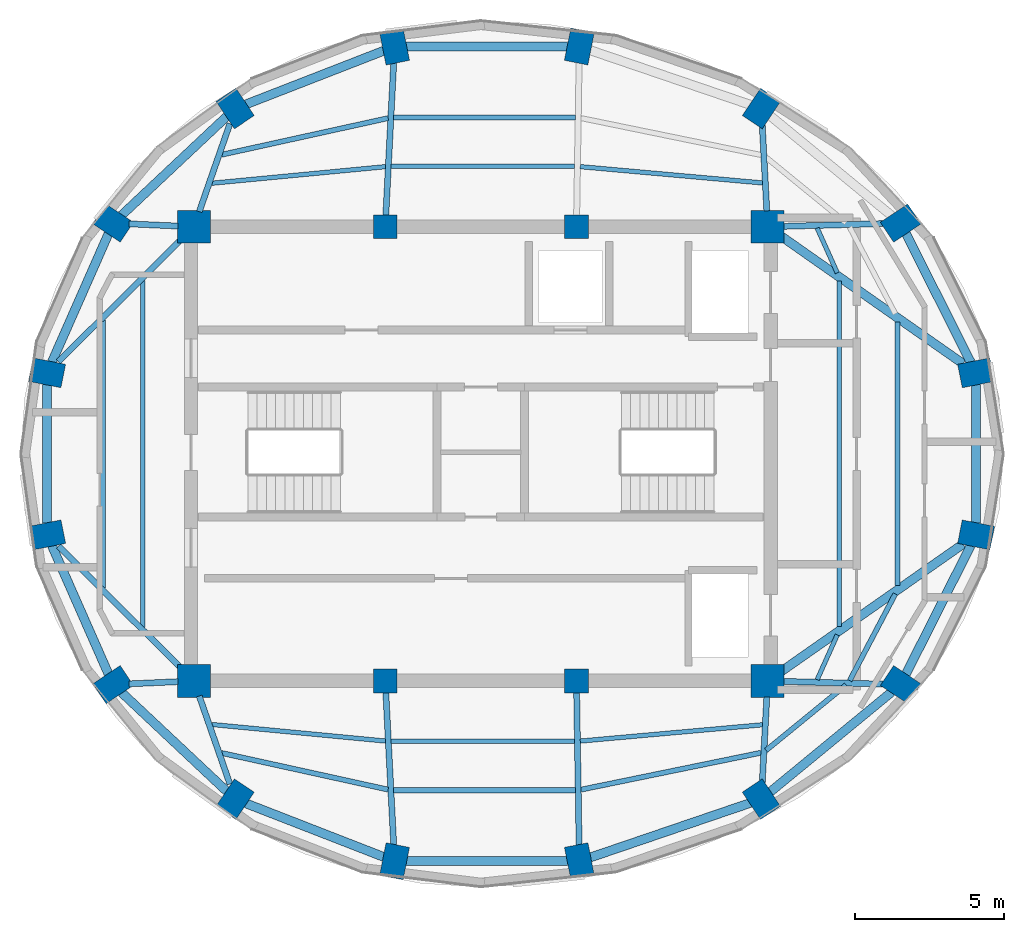
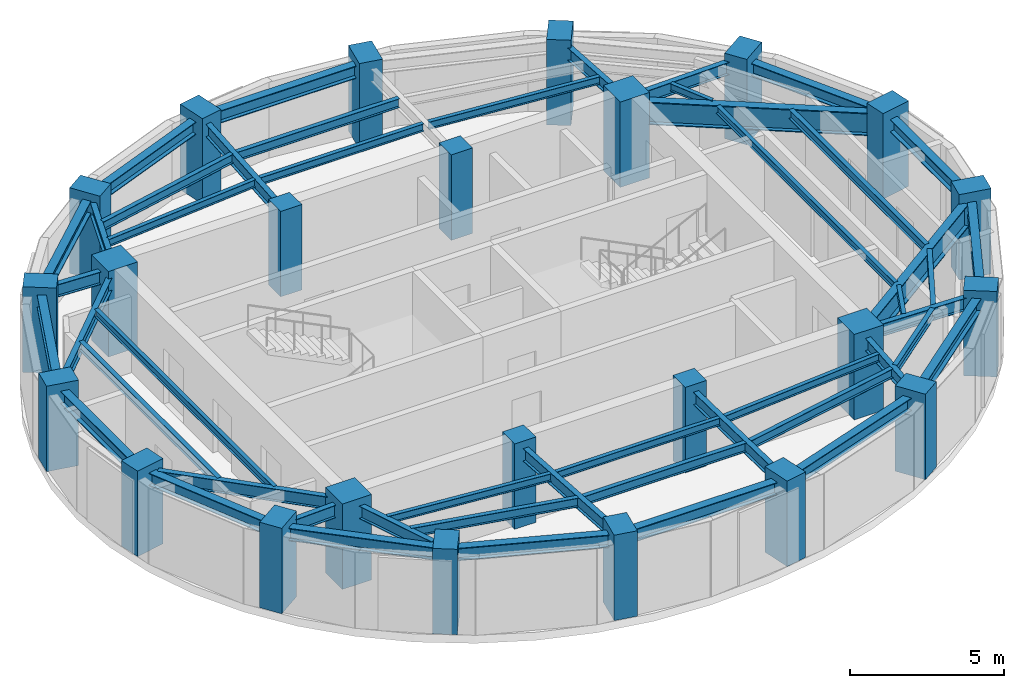
# One storey, part 1 of 5: 48 beams, 24 columns.
"""IFC4 building model written with IfcOpenShell, lengths in metres."""

from ifc_helpers import new_model, si_unit, direction, frame, origin, origin_2d, place, context, subcontext, project, spatial, rectangle, i_section, extrude, material, material_profile, profile_set, type_object, element, save


model = new_model("IFC4")

# Units and contexts
model_context = context("Model", 3, precision=1e-05, world=origin(), true_north=direction((0.0, 1.0)))
body_context = subcontext(model_context, "Body", "Model", "MODEL_VIEW")
ifc_project = project(units=[si_unit("LENGTHUNIT", "METRE"), si_unit("AREAUNIT", "SQUARE_METRE"), si_unit("VOLUMEUNIT", "CUBIC_METRE"), si_unit("PLANEANGLEUNIT", "RADIAN"), si_unit("MASSUNIT", "GRAM", prefix="KILO")], contexts=[model_context])

# Site, building, storey
site_placement = place(None, origin())
site = spatial("IfcSite", under=ifc_project, at=site_placement, CompositionType="ELEMENT")
building_placement = place(site_placement, origin())
building = spatial("IfcBuilding", under=site, at=building_placement, Name="Lazwardi Medical Tower", CompositionType="ELEMENT")
storey_placement = place(building_placement, frame((0.0, 0.0, 312.612060546875)))
storey = spatial("IfcBuildingStorey", under=building, at=storey_placement, Name="L82", CompositionType="ELEMENT", Elevation=312.612060546875)

# Columns
ifc_material_1 = material(Name="Concrete C80/95", Category="concrete")
ifc_material_profile_1 = material_profile(ifc_material_1, rectangle(XDim=1.10009765625, YDim=1.10009765625, at=origin_2d()), Name="RC 1100x1100")
ifc_profile_set_1 = profile_set([ifc_material_profile_1], Name="Concrete C80/95")
column_type_1 = type_object("IfcColumnType", Name="COL-CC-L", PredefinedType="COLUMN", material=ifc_profile_set_1)
for number, where, z_axis, x_axis, name in (
    (1, (26.39990234375, 20.39990234375, 0.0), (0.0, 0.0, 1.0), (1.0, 0.0, 0.0), "Core column CC-01 CC1 L82"),
    (2, (45.60009765625, 20.39990234375, 0.0), (0.0, 0.0, 1.0), (1.0, 0.0, 0.0), "Core column CC-01 CC4 L82"),
    (3, (45.60009765625, 35.60009765625, 0.0), (0.0, 0.0, 1.0), (1.0, 0.0, 0.0), "Core column CC-01 CC5 L82"),
    (4, (26.39990234375, 35.60009765625, 0.0), (0.0, 0.0, 1.0), (1.0, 0.0, 0.0), "Core column CC-01 CC8 L82"),
):
    element("IfcColumn", number, at=place(storey_placement, frame(where, z_axis=z_axis, x_axis=x_axis)), inside=storey, type_object=column_type_1, Name=name, PredefinedType="COLUMN", context=body_context, shape_type="SweptSolid", body=[
        extrude(rectangle(XDim=1.10009765625, YDim=1.10009765625, at=origin_2d()), origin(), (0.0, 0.0, 1.0), 3.387939453125),
    ])
ifc_material_2 = material(Name="Concrete C60/75", Category="concrete")
ifc_material_profile_2 = material_profile(ifc_material_2, rectangle(XDim=0.800048828125, YDim=0.800048828125, at=origin_2d()), Name="RC 800x800")
ifc_profile_set_2 = profile_set([ifc_material_profile_2], Name="Concrete C60/75")
column_type_2 = type_object("IfcColumnType", Name="COL-CC-U", PredefinedType="COLUMN", material=ifc_profile_set_2)
for number, where, z_axis, x_axis, name in (
    (5, (32.800048828125, 20.39990234375, 0.0), (0.0, 0.0, 1.0), (1.0, 0.0, 0.0), "Core column CC-03 CC2 L82"),
    (6, (39.199951171875, 20.39990234375, 0.0), (0.0, 0.0, 1.0), (1.0, 0.0, 0.0), "Core column CC-03 CC3 L82"),
    (7, (39.199951171875, 35.60009765625, 0.0), (0.0, 0.0, 1.0), (1.0, 0.0, 0.0), "Core column CC-03 CC6 L82"),
    (8, (32.800048828125, 35.60009765625, 0.0), (0.0, 0.0, 1.0), (1.0, 0.0, 0.0), "Core column CC-03 CC7 L82"),
):
    element("IfcColumn", number, at=place(storey_placement, frame(where, z_axis=z_axis, x_axis=x_axis)), inside=storey, type_object=column_type_2, Name=name, PredefinedType="COLUMN", context=body_context, shape_type="SweptSolid", body=[
        extrude(rectangle(XDim=0.800048828125, YDim=0.800048828125, at=origin_2d()), origin(), (0.0, 0.0, 1.0), 3.387939453125),
    ])
ifc_material_profile_3 = material_profile(ifc_material_2, rectangle(XDim=1.10009765625, YDim=0.800048828125, at=origin_2d()), Name="CFT-RECT 1100x800")
ifc_profile_set_3 = profile_set([ifc_material_profile_3], Name="Concrete C60/75")
column_type_3 = type_object("IfcColumnType", Name="COL-MC-Z4", PredefinedType="COLUMN", material=ifc_profile_set_3)
for number, where, z_axis, x_axis, name in (
    (9, (39.297119140625, 14.3671875, 0.0), (0.0, 0.0, 1.0), (0.195090322016, -0.980785280403, 0.0), "Mega column MC-06 M01 L82"),
    (10, (45.38916015625, 16.442626953125, 0.0), (0.0, 0.0, 1.0), (0.55557023302, -0.831469612303, 0.0), "Mega column MC-06 M02 L82"),
    (11, (50.0517578125, 20.277587890625, 0.0), (0.0, 0.0, 1.0), (0.831469612303, -0.55557023302, 0.0), "Mega column MC-06 M03 L82"),
    (12, (52.5751953125, 25.2880859375, 0.0), (0.0, 0.0, 1.0), (0.980785280403, -0.195090322016, 0.0), "Mega column MC-06 M04 L82"),
    (13, (52.5751953125, 30.7119140625, 0.0), (0.0, 0.0, 1.0), (0.980785280403, 0.195090322016, 0.0), "Mega column MC-06 M05 L82"),
    (14, (50.0517578125, 35.722412109375, 0.0), (0.0, 0.0, 1.0), (0.831469612303, 0.55557023302, 0.0), "Mega column MC-06 M06 L82"),
    (15, (45.38916015625, 39.557373046875, 0.0), (0.0, 0.0, 1.0), (0.55557023302, 0.831469612303, 0.0), "Mega column MC-06 M07 L82"),
    (16, (39.297119140625, 41.6328125, 0.0), (0.0, 0.0, 1.0), (0.195090322016, 0.980785280403, 0.0), "Mega column MC-06 M08 L82"),
    (17, (33.11279296875, 41.6328125, 0.0), (0.0, 0.0, 1.0), (-0.195090322016, 0.980785280403, 0.0), "Mega column MC-06 M09 L82"),
    (18, (27.777587890625, 39.557373046875, 0.0), (0.0, 0.0, 1.0), (-0.55557023302, 0.831469612303, 0.0), "Mega column MC-06 M10 L82"),
    (19, (23.694091796875, 35.722412109375, 0.0), (0.0, 0.0, 1.0), (-0.831469612303, 0.55557023302, 0.0), "Mega column MC-06 M11 L82"),
    (20, (21.484375, 30.7119140625, 0.0), (0.0, 0.0, 1.0), (-0.980785280403, 0.195090322016, 0.0), "Mega column MC-06 M12 L82"),
    (21, (21.484375, 25.2880859375, 0.0), (0.0, 0.0, 1.0), (-0.980785280403, -0.195090322016, 0.0), "Mega column MC-06 M13 L82"),
    (22, (23.694091796875, 20.277587890625, 0.0), (0.0, 0.0, 1.0), (-0.831469612303, -0.55557023302, 0.0), "Mega column MC-06 M14 L82"),
    (23, (27.777587890625, 16.442626953125, 0.0), (0.0, 0.0, 1.0), (-0.55557023302, -0.831469612303, 0.0), "Mega column MC-06 M15 L82"),
    (24, (33.11279296875, 14.3671875, 0.0), (0.0, 0.0, 1.0), (-0.195090322016, -0.980785280403, 0.0), "Mega column MC-06 M16 L82"),
):
    element("IfcColumn", number, at=place(storey_placement, frame(where, z_axis=z_axis, x_axis=x_axis)), inside=storey, type_object=column_type_3, Name=name, PredefinedType="COLUMN", context=body_context, shape_type="SweptSolid", body=[
        extrude(rectangle(XDim=1.10009765625, YDim=0.800048828125, at=origin_2d()), origin(), (0.0, 0.0, 1.0), 3.387939453125),
    ])

# Beams
ifc_material_3 = material(Name="Steel S460", Category="steel")
ifc_material_profile_4 = material_profile(ifc_material_3, i_section(OverallWidth=0.300048828125, OverallDepth=0.89990234375, WebThickness=0.0185546875, FlangeThickness=0.034912109375, at=origin_2d()), Name="HEB 900")
ifc_profile_set_4 = profile_set([ifc_material_profile_4], Name="Steel S460")
beam_type_1 = type_object("IfcBeamType", Name="BM-HB-01", PredefinedType="BEAM", material=ifc_profile_set_4)
for number, where, z_axis, x_axis, name in (
    (25, (52.13720703125, 24.981201171875, 2.557861328125), (-0.818929959662, -0.573893475454, 0.0), (0.573893475454, -0.818929959662, 0.0), "Helipad support girder HB-01 R04 L82"),
    (26, (52.13720703125, 31.018798828125, 2.557861328125), (-0.818929959662, 0.573893475454, 0.0), (-0.573893475454, -0.818929959662, 0.0), "Helipad support girder HB-01 R05 L82"),
):
    element("IfcBeam", number, at=place(storey_placement, frame(where, z_axis=z_axis, x_axis=x_axis)), inside=storey, type_object=beam_type_1, Name=name, PredefinedType="BEAM", context=body_context, shape_type="SweptSolid", body=[
        extrude(i_section(OverallWidth=0.300048828125, OverallDepth=0.89990234375, WebThickness=0.0185546875, FlangeThickness=0.034912109375, at=origin_2d()), origin(), (0.0, 0.0, 1.0), 7.44775390625),
    ])
ifc_material_4 = material(Name="Steel S355", Category="steel")
ifc_material_profile_5 = material_profile(ifc_material_4, i_section(OverallWidth=0.300048828125, OverallDepth=0.5, WebThickness=0.014404296875, FlangeThickness=0.028076171875, at=origin_2d()), Name="HEB 500")
ifc_profile_set_5 = profile_set([ifc_material_profile_5], Name="Steel S355")
beam_type_2 = type_object("IfcBeamType", Name="BM-RB-Z4", PredefinedType="BEAM", material=ifc_profile_set_5)
beam_1_placement = place(storey_placement, frame((39.666259765625, 14.492919921875, 2.837890625), z_axis=(0.94657339, 0.322488476296, 0.0), x_axis=(-0.322488476296, 0.94657339, 0.0)))
element("IfcBeam", 27, at=beam_1_placement, inside=storey, type_object=beam_type_2, Name="Ring beam RB-05 B01 L82", PredefinedType="BEAM", context=body_context, shape_type="SweptSolid", body=[
    extrude(i_section(OverallWidth=0.300048828125, OverallDepth=0.5, WebThickness=0.014404296875, FlangeThickness=0.028076171875, at=origin_2d()), origin(), (0.0, 0.0, 1.0), 5.656005859375),
])
beam_2_placement = place(storey_placement, frame((45.690185546875, 16.690185546875, 2.837890625), z_axis=(0.772320174437, 0.635233459571, 0.0), x_axis=(-0.635233459571, 0.772320174437, 0.0)))
element("IfcBeam", 28, at=beam_2_placement, inside=storey, type_object=beam_type_2, Name="Ring beam RB-05 B02 L82", PredefinedType="BEAM", context=body_context, shape_type="SweptSolid", body=[
    extrude(i_section(OverallWidth=0.300048828125, OverallDepth=0.5, WebThickness=0.014404296875, FlangeThickness=0.028076171875, at=origin_2d()), origin(), (0.0, 0.0, 1.0), 5.25732421875),
])
beam_3_placement = place(storey_placement, frame((50.227294921875, 20.6259765625, 2.758056640625), z_axis=(0.449799625666, 0.89312949607, 0.0), x_axis=(-0.89312949607, 0.449799625666, 0.0)))
element("IfcBeam", 29, at=beam_3_placement, inside=storey, type_object=beam_type_2, Name="Ring beam RB-05 B03 L82", PredefinedType="BEAM", context=body_context, shape_type="SweptSolid", body=[
    extrude(i_section(OverallWidth=0.300048828125, OverallDepth=0.5, WebThickness=0.014404296875, FlangeThickness=0.028076171875, at=origin_2d()), origin(), (0.0, 0.0, 1.0), 4.830078125),
])
beam_4_placement = place(storey_placement, frame((52.5751953125, 25.67822265625, 2.758056640625), z_axis=(0.0, 1.0, 0.0), x_axis=(-1.0, 0.0, 0.0)))
element("IfcBeam", 30, at=beam_4_placement, inside=storey, type_object=beam_type_2, Name="Ring beam RB-05 B04 L82", PredefinedType="BEAM", context=body_context, shape_type="SweptSolid", body=[
    extrude(i_section(OverallWidth=0.300048828125, OverallDepth=0.5, WebThickness=0.014404296875, FlangeThickness=0.028076171875, at=origin_2d()), origin(), (0.0, 0.0, 1.0), 4.6435546875),
])
beam_5_placement = place(storey_placement, frame((52.39990234375, 31.06005859375, 2.758056640625), z_axis=(-0.449799625666, 0.89312949607, 0.0), x_axis=(-0.89312949607, -0.449799625666, 0.0)))
element("IfcBeam", 31, at=beam_5_placement, inside=storey, type_object=beam_type_2, Name="Ring beam RB-05 B05 L82", PredefinedType="BEAM", context=body_context, shape_type="SweptSolid", body=[
    extrude(i_section(OverallWidth=0.300048828125, OverallDepth=0.5, WebThickness=0.014404296875, FlangeThickness=0.028076171875, at=origin_2d()), origin(), (0.0, 0.0, 1.0), 4.830078125),
])
beam_6_placement = place(storey_placement, frame((38.906982421875, 41.6328125, 2.837890625), z_axis=(-1.0, 0.0, 0.0), x_axis=(0.0, -1.0, 0.0)))
element("IfcBeam", 32, at=beam_6_placement, inside=storey, type_object=beam_type_2, Name="Ring beam RB-05 B08 L82", PredefinedType="BEAM", context=body_context, shape_type="SweptSolid", body=[
    extrude(i_section(OverallWidth=0.300048828125, OverallDepth=0.5, WebThickness=0.014404296875, FlangeThickness=0.028076171875, at=origin_2d()), origin(), (0.0, 0.0, 1.0), 5.404296875),
])
beam_7_placement = place(storey_placement, frame((32.749267578125, 41.491455078125, 2.837890625), z_axis=(-0.931959260109, -0.362563011761, 0.0), x_axis=(0.362563011761, -0.931959260109, 0.0)))
element("IfcBeam", 33, at=beam_7_placement, inside=storey, type_object=beam_type_2, Name="Ring beam RB-05 B09 L82", PredefinedType="BEAM", context=body_context, shape_type="SweptSolid", body=[
    extrude(i_section(OverallWidth=0.300048828125, OverallDepth=0.5, WebThickness=0.014404296875, FlangeThickness=0.028076171875, at=origin_2d()), origin(), (0.0, 0.0, 1.0), 4.944580078125),
])
beam_8_placement = place(storey_placement, frame((27.493408203125, 39.290283203125, 2.837890625), z_axis=(-0.728960615285, -0.684555637887, 0.0), x_axis=(0.684555637887, -0.728960615285, 0.0)))
element("IfcBeam", 34, at=beam_8_placement, inside=storey, type_object=beam_type_2, Name="Ring beam RB-05 B10 L82", PredefinedType="BEAM", context=body_context, shape_type="SweptSolid", body=[
    extrude(i_section(OverallWidth=0.300048828125, OverallDepth=0.5, WebThickness=0.014404296875, FlangeThickness=0.028076171875, at=origin_2d()), origin(), (0.0, 0.0, 1.0), 4.82177734375),
])
beam_9_placement = place(storey_placement, frame((23.536865234375, 35.365478515625, 2.837890625), z_axis=(-0.403522451548, -0.914969743268, 0.0), x_axis=(0.914969743268, -0.403522451548, 0.0)))
element("IfcBeam", 35, at=beam_9_placement, inside=storey, type_object=beam_type_2, Name="Ring beam RB-05 B11 L82", PredefinedType="BEAM", context=body_context, shape_type="SweptSolid", body=[
    extrude(i_section(OverallWidth=0.300048828125, OverallDepth=0.5, WebThickness=0.014404296875, FlangeThickness=0.028076171875, at=origin_2d()), origin(), (0.0, 0.0, 1.0), 4.6962890625),
])
beam_10_placement = place(storey_placement, frame((21.484375, 30.32177734375, 2.837890625), z_axis=(0.0, -1.0, 0.0), x_axis=(1.0, 0.0, 0.0)))
element("IfcBeam", 36, at=beam_10_placement, inside=storey, type_object=beam_type_2, Name="Ring beam RB-05 B12 L82", PredefinedType="BEAM", context=body_context, shape_type="SweptSolid", body=[
    extrude(i_section(OverallWidth=0.300048828125, OverallDepth=0.5, WebThickness=0.014404296875, FlangeThickness=0.028076171875, at=origin_2d()), origin(), (0.0, 0.0, 1.0), 4.6435546875),
])
beam_11_placement = place(storey_placement, frame((21.641845703125, 24.931396484375, 2.837890625), z_axis=(0.403522451548, -0.914969743268, 0.0), x_axis=(0.914969743268, 0.403522451548, 0.0)))
element("IfcBeam", 37, at=beam_11_placement, inside=storey, type_object=beam_type_2, Name="Ring beam RB-05 B13 L82", PredefinedType="BEAM", context=body_context, shape_type="SweptSolid", body=[
    extrude(i_section(OverallWidth=0.300048828125, OverallDepth=0.5, WebThickness=0.014404296875, FlangeThickness=0.028076171875, at=origin_2d()), origin(), (0.0, 0.0, 1.0), 4.6962890625),
])
beam_12_placement = place(storey_placement, frame((23.978515625, 20.010498046875, 2.837890625), z_axis=(0.728960615285, -0.684555637887, 0.0), x_axis=(0.684555637887, 0.728960615285, 0.0)))
element("IfcBeam", 38, at=beam_12_placement, inside=storey, type_object=beam_type_2, Name="Ring beam RB-05 B14 L82", PredefinedType="BEAM", context=body_context, shape_type="SweptSolid", body=[
    extrude(i_section(OverallWidth=0.300048828125, OverallDepth=0.5, WebThickness=0.014404296875, FlangeThickness=0.028076171875, at=origin_2d()), origin(), (0.0, 0.0, 1.0), 4.82177734375),
])
beam_13_placement = place(storey_placement, frame((28.14111328125, 16.30126953125, 2.837890625), z_axis=(0.931959260109, -0.362563011761, 0.0), x_axis=(0.362563011761, 0.931959260109, 0.0)))
element("IfcBeam", 39, at=beam_13_placement, inside=storey, type_object=beam_type_2, Name="Ring beam RB-05 B15 L82", PredefinedType="BEAM", context=body_context, shape_type="SweptSolid", body=[
    extrude(i_section(OverallWidth=0.300048828125, OverallDepth=0.5, WebThickness=0.014404296875, FlangeThickness=0.028076171875, at=origin_2d()), origin(), (0.0, 0.0, 1.0), 4.944580078125),
])
beam_14_placement = place(storey_placement, frame((33.502685546875, 14.3671875, 2.837890625), z_axis=(1.0, 0.0, 0.0), x_axis=(0.0, 1.0, 0.0)))
element("IfcBeam", 40, at=beam_14_placement, inside=storey, type_object=beam_type_2, Name="Ring beam RB-05 B16 L82", PredefinedType="BEAM", context=body_context, shape_type="SweptSolid", body=[
    extrude(i_section(OverallWidth=0.300048828125, OverallDepth=0.5, WebThickness=0.014404296875, FlangeThickness=0.028076171875, at=origin_2d()), origin(), (0.0, 0.0, 1.0), 5.404296875),
])
ifc_material_profile_6 = material_profile(ifc_material_4, i_section(OverallWidth=0.199951171875, OverallDepth=0.5, WebThickness=0.01025390625, FlangeThickness=0.01611328125, at=origin_2d()), Name="IPE 500")
ifc_profile_set_6 = profile_set([ifc_material_profile_6], Name="Steel S355")
beam_type_3 = type_object("IfcBeamType", Name="BM-RG-W3", PredefinedType="BEAM", material=ifc_profile_set_6)
beam_15_placement = place(storey_placement, frame((39.288330078125, 14.902099609375, 2.837890625), z_axis=(-0.016042248199, 0.999871314856, 0.0), x_axis=(-0.999871314856, -0.016042248199, 0.0)))
element("IfcBeam", 41, at=beam_15_placement, inside=storey, type_object=beam_type_3, Name="Radial girder RG-04 R01 L82", PredefinedType="BEAM", context=body_context, shape_type="SweptSolid", body=[
    extrude(i_section(OverallWidth=0.199951171875, OverallDepth=0.5, WebThickness=0.01025390625, FlangeThickness=0.01611328125, at=origin_2d()), origin(), (0.0, 0.0, 1.0), 5.113525390625),
])
beam_16_placement = place(storey_placement, frame((45.41748046875, 16.976806640625, 2.837890625), z_axis=(0.053249788899, 0.998581223528, 0.0), x_axis=(-0.998581223528, 0.053249788899, 0.0)))
element("IfcBeam", 42, at=beam_16_placement, inside=storey, type_object=beam_type_3, Name="Radial girder RG-04 R02 L82", PredefinedType="BEAM", context=body_context, shape_type="SweptSolid", body=[
    extrude(i_section(OverallWidth=0.199951171875, OverallDepth=0.5, WebThickness=0.01025390625, FlangeThickness=0.01611328125, at=origin_2d()), origin(), (0.0, 0.0, 1.0), 2.89306640625),
])
for number, where, z_axis, x_axis, name in (
    (43, (49.51708984375, 20.292236328125, 2.837890625), (-0.999622059591, 0.027490688949, 0.0), (-0.027490688949, -0.999622059591, 0.0), "Radial girder RG-04 R03 L82"),
    (44, (49.51708984375, 35.707763671875, 2.837890625), (-0.999622059591, -0.027490688949, 0.0), (0.027490688949, -0.999622059591, 0.0), "Radial girder RG-04 R06 L82"),
):
    element("IfcBeam", number, at=place(storey_placement, frame(where, z_axis=z_axis, x_axis=x_axis)), inside=storey, type_object=beam_type_3, Name=name, PredefinedType="BEAM", context=body_context, shape_type="SweptSolid", body=[
        extrude(i_section(OverallWidth=0.199951171875, OverallDepth=0.5, WebThickness=0.01025390625, FlangeThickness=0.01611328125, at=origin_2d()), origin(), (0.0, 0.0, 1.0), 3.383544921875),
    ])
beam_17_placement = place(storey_placement, frame((45.41748046875, 39.023193359375, 2.837890625), z_axis=(0.053249788899, -0.998581223528, 0.0), x_axis=(0.998581223528, 0.053249788899, 0.0)))
element("IfcBeam", 45, at=beam_17_placement, inside=storey, type_object=beam_type_3, Name="Radial girder RG-04 R07 L82", PredefinedType="BEAM", context=body_context, shape_type="SweptSolid", body=[
    extrude(i_section(OverallWidth=0.199951171875, OverallDepth=0.5, WebThickness=0.01025390625, FlangeThickness=0.01611328125, at=origin_2d()), origin(), (0.0, 0.0, 1.0), 2.89306640625),
])
beam_18_placement = place(storey_placement, frame((33.0849609375, 41.0986328125, 2.837890625), z_axis=(-0.051775595379, -0.998658744378, 0.0), x_axis=(0.998658744378, -0.051775595379, 0.0)))
element("IfcBeam", 46, at=beam_18_placement, inside=storey, type_object=beam_type_3, Name="Radial girder RG-04 R09 L82", PredefinedType="BEAM", context=body_context, shape_type="SweptSolid", body=[
    extrude(i_section(OverallWidth=0.199951171875, OverallDepth=0.5, WebThickness=0.01025390625, FlangeThickness=0.01611328125, at=origin_2d()), origin(), (0.0, 0.0, 1.0), 5.120849609375),
])
beam_19_placement = place(storey_placement, frame((27.601806640625, 39.052001953125, 2.837890625), z_axis=(-0.32878160191, -0.944405981687, 0.0), x_axis=(0.944405981687, -0.32878160191, 0.0)))
element("IfcBeam", 47, at=beam_19_placement, inside=storey, type_object=beam_type_3, Name="Radial girder RG-04 R10 L82", PredefinedType="BEAM", context=body_context, shape_type="SweptSolid", body=[
    extrude(i_section(OverallWidth=0.199951171875, OverallDepth=0.5, WebThickness=0.01025390625, FlangeThickness=0.01611328125, at=origin_2d()), origin(), (0.0, 0.0, 1.0), 3.120361328125),
])
beam_20_placement = place(storey_placement, frame((24.228759765625, 35.6982421875, 2.837890625), z_axis=(0.9989801824, -0.045150804783, 0.0), x_axis=(0.045150804783, 0.9989801824, 0.0)))
element("IfcBeam", 48, at=beam_20_placement, inside=storey, type_object=beam_type_3, Name="Radial girder RG-04 R11 L82", PredefinedType="BEAM", context=body_context, shape_type="SweptSolid", body=[
    extrude(i_section(OverallWidth=0.199951171875, OverallDepth=0.5, WebThickness=0.01025390625, FlangeThickness=0.01611328125, at=origin_2d()), origin(), (0.0, 0.0, 1.0), 1.638427734375),
])
for number, where, z_axis, x_axis, name in (
    (49, (21.86376953125, 31.089111328125, 2.837890625), (0.709061424787, 0.705146719399, 0.0), (-0.705146719399, 0.709061424787, 0.0), "Radial girder RG-04 R12 L82"),
    (50, (21.86376953125, 24.910888671875, 2.837890625), (0.709061424787, -0.705146719399, 0.0), (0.705146719399, 0.709061424787, 0.0), "Radial girder RG-04 R13 L82"),
):
    element("IfcBeam", number, at=place(storey_placement, frame(where, z_axis=z_axis, x_axis=x_axis)), inside=storey, type_object=beam_type_3, Name=name, PredefinedType="BEAM", context=body_context, shape_type="SweptSolid", body=[
        extrude(i_section(OverallWidth=0.199951171875, OverallDepth=0.5, WebThickness=0.01025390625, FlangeThickness=0.01611328125, at=origin_2d()), origin(), (0.0, 0.0, 1.0), 5.8623046875),
    ])
beam_21_placement = place(storey_placement, frame((24.228759765625, 20.3017578125, 2.837890625), z_axis=(0.9989801824, 0.045150804783, 0.0), x_axis=(-0.045150804783, 0.9989801824, 0.0)))
element("IfcBeam", 51, at=beam_21_placement, inside=storey, type_object=beam_type_3, Name="Radial girder RG-04 R14 L82", PredefinedType="BEAM", context=body_context, shape_type="SweptSolid", body=[
    extrude(i_section(OverallWidth=0.199951171875, OverallDepth=0.5, WebThickness=0.01025390625, FlangeThickness=0.01611328125, at=origin_2d()), origin(), (0.0, 0.0, 1.0), 1.638427734375),
])
beam_22_placement = place(storey_placement, frame((27.601806640625, 16.947998046875, 2.837890625), z_axis=(-0.32878160191, 0.944405981687, 0.0), x_axis=(-0.944405981687, -0.32878160191, 0.0)))
element("IfcBeam", 52, at=beam_22_placement, inside=storey, type_object=beam_type_3, Name="Radial girder RG-04 R15 L82", PredefinedType="BEAM", context=body_context, shape_type="SweptSolid", body=[
    extrude(i_section(OverallWidth=0.199951171875, OverallDepth=0.5, WebThickness=0.01025390625, FlangeThickness=0.01611328125, at=origin_2d()), origin(), (0.0, 0.0, 1.0), 3.120361328125),
])
beam_23_placement = place(storey_placement, frame((33.0849609375, 14.9013671875, 2.837890625), z_axis=(-0.051775595379, 0.998658744378, 0.0), x_axis=(-0.998658744378, -0.051775595379, 0.0)))
element("IfcBeam", 53, at=beam_23_placement, inside=storey, type_object=beam_type_3, Name="Radial girder RG-04 R16 L82", PredefinedType="BEAM", context=body_context, shape_type="SweptSolid", body=[
    extrude(i_section(OverallWidth=0.199951171875, OverallDepth=0.5, WebThickness=0.01025390625, FlangeThickness=0.01611328125, at=origin_2d()), origin(), (0.0, 0.0, 1.0), 5.120849609375),
])
ifc_material_profile_7 = material_profile(ifc_material_4, i_section(OverallWidth=0.169921875, OverallDepth=0.360107421875, WebThickness=0.008056640625, FlangeThickness=0.0126953125, at=origin_2d()), Name="IPE 360")
ifc_profile_set_7 = profile_set([ifc_material_profile_7], Name="Steel S355")
beam_type_4 = type_object("IfcBeamType", Name="BM-SJ-02", PredefinedType="JOIST", material=ifc_profile_set_7)
beam_24_placement = place(storey_placement, frame((39.351806640625, 16.76171875, 2.907958984375), z_axis=(0.979616916129, 0.200874830763, 0.0), x_axis=(-0.200874830763, 0.979616916129, 0.0)))
element("IfcBeam", 54, at=beam_24_placement, inside=storey, type_object=beam_type_4, Name="Secondary joist SJ-02 R1 B01 L82", PredefinedType="JOIST", context=body_context, shape_type="SweptSolid", body=[
    extrude(i_section(OverallWidth=0.169921875, OverallDepth=0.360107421875, WebThickness=0.008056640625, FlangeThickness=0.0126953125, at=origin_2d()), origin(), (0.0, 0.0, 1.0), 6.153564453125),
])
beam_25_placement = place(storey_placement, frame((45.546630859375, 18.076904296875, 2.907958984375), z_axis=(0.774431855027, 0.632657333727, 0.0), x_axis=(-0.632657333727, 0.774431855027, 0.0)))
element("IfcBeam", 55, at=beam_25_placement, inside=storey, type_object=beam_type_4, Name="Secondary joist SJ-02 R1 B02 L82", PredefinedType="JOIST", context=body_context, shape_type="SweptSolid", body=[
    extrude(i_section(OverallWidth=0.169921875, OverallDepth=0.360107421875, WebThickness=0.008056640625, FlangeThickness=0.0126953125, at=origin_2d()), origin(), (0.0, 0.0, 1.0), 3.45947265625),
])
beam_26_placement = place(storey_placement, frame((48.34375, 20.409912109375, 2.827880859375), z_axis=(0.466092769963, 0.884735853116, 0.0), x_axis=(-0.884735853116, 0.466092769963, 0.0)))
element("IfcBeam", 56, at=beam_26_placement, inside=storey, type_object=beam_type_4, Name="Secondary joist SJ-02 R1 B03 L82", PredefinedType="JOIST", context=body_context, shape_type="SweptSolid", body=[
    extrude(i_section(OverallWidth=0.169921875, OverallDepth=0.360107421875, WebThickness=0.008056640625, FlangeThickness=0.0126953125, at=origin_2d()), origin(), (0.0, 0.0, 1.0), 3.28271484375),
])
beam_27_placement = place(storey_placement, frame((49.94140625, 23.58740234375, 2.827880859375), z_axis=(0.0, 1.0, 0.0), x_axis=(-1.0, 0.0, 0.0)))
element("IfcBeam", 57, at=beam_27_placement, inside=storey, type_object=beam_type_4, Name="Secondary joist SJ-02 R1 B04 L82", PredefinedType="JOIST", context=body_context, shape_type="SweptSolid", body=[
    extrude(i_section(OverallWidth=0.169921875, OverallDepth=0.360107421875, WebThickness=0.008056640625, FlangeThickness=0.0126953125, at=origin_2d()), origin(), (0.0, 0.0, 1.0), 8.8251953125),
])
beam_28_placement = place(storey_placement, frame((39.163818359375, 39.25732421875, 2.907958984375), z_axis=(-0.999999999194, 4.0160643e-05, 0.0), x_axis=(-4.0160643e-05, -0.999999999194, 0.0)))
element("IfcBeam", 58, at=beam_28_placement, inside=storey, type_object=beam_type_4, Name="Secondary joist SJ-02 R1 B08 L82", PredefinedType="JOIST", context=body_context, shape_type="SweptSolid", body=[
    extrude(i_section(OverallWidth=0.169921875, OverallDepth=0.360107421875, WebThickness=0.008056640625, FlangeThickness=0.0126953125, at=origin_2d()), origin(), (0.0, 0.0, 1.0), 6.0791015625),
])
beam_29_placement = place(storey_placement, frame((32.896728515625, 39.237060546875, 2.907958984375), z_axis=(-0.976659012992, -0.214795652522, 0.0), x_axis=(0.214795652522, -0.976659012992, 0.0)))
element("IfcBeam", 59, at=beam_29_placement, inside=storey, type_object=beam_type_4, Name="Secondary joist SJ-02 R1 B09 L82", PredefinedType="JOIST", context=body_context, shape_type="SweptSolid", body=[
    extrude(i_section(OverallWidth=0.169921875, OverallDepth=0.360107421875, WebThickness=0.008056640625, FlangeThickness=0.0126953125, at=origin_2d()), origin(), (0.0, 0.0, 1.0), 5.70458984375),
])
beam_30_placement = place(storey_placement, frame((23.360107421875, 32.482177734375, 2.907958984375), z_axis=(0.0, -1.0, 0.0), x_axis=(1.0, 0.0, 0.0)))
element("IfcBeam", 60, at=beam_30_placement, inside=storey, type_object=beam_type_4, Name="Secondary joist SJ-02 R1 B12 L82", PredefinedType="JOIST", context=body_context, shape_type="SweptSolid", body=[
    extrude(i_section(OverallWidth=0.169921875, OverallDepth=0.360107421875, WebThickness=0.008056640625, FlangeThickness=0.0126953125, at=origin_2d()), origin(), (0.0, 0.0, 1.0), 8.96435546875),
])
beam_31_placement = place(storey_placement, frame((27.3251953125, 17.98828125, 2.907958984375), z_axis=(0.976659012992, -0.214795652522, 0.0), x_axis=(0.214795652522, 0.976659012992, 0.0)))
element("IfcBeam", 61, at=beam_31_placement, inside=storey, type_object=beam_type_4, Name="Secondary joist SJ-02 R1 B15 L82", PredefinedType="JOIST", context=body_context, shape_type="SweptSolid", body=[
    extrude(i_section(OverallWidth=0.169921875, OverallDepth=0.360107421875, WebThickness=0.008056640625, FlangeThickness=0.0126953125, at=origin_2d()), origin(), (0.0, 0.0, 1.0), 5.70458984375),
])
beam_32_placement = place(storey_placement, frame((33.084716796875, 16.742431640625, 2.907958984375), z_axis=(0.999999999194, 4.0160643e-05, 0.0), x_axis=(-4.0160643e-05, 0.999999999194, 0.0)))
element("IfcBeam", 62, at=beam_32_placement, inside=storey, type_object=beam_type_4, Name="Secondary joist SJ-02 R1 B16 L82", PredefinedType="JOIST", context=body_context, shape_type="SweptSolid", body=[
    extrude(i_section(OverallWidth=0.169921875, OverallDepth=0.360107421875, WebThickness=0.008056640625, FlangeThickness=0.0126953125, at=origin_2d()), origin(), (0.0, 0.0, 1.0), 6.0791015625),
])
ifc_material_profile_8 = material_profile(ifc_material_4, i_section(OverallWidth=0.14990234375, OverallDepth=0.300048828125, WebThickness=0.007080078125, FlangeThickness=0.0107421875, at=origin_2d()), Name="IPE 300")
ifc_profile_set_8 = profile_set([ifc_material_profile_8], Name="Steel S355")
beam_type_5 = type_object("IfcBeamType", Name="BM-SJ-03", PredefinedType="JOIST", material=ifc_profile_set_8)
beam_33_placement = place(storey_placement, frame((39.3271484375, 18.38720703125, 2.93798828125), z_axis=(0.996023505872, 0.089090828656, 0.0), x_axis=(-0.089090828656, 0.996023505872, 0.0)))
element("IfcBeam", 63, at=beam_33_placement, inside=storey, type_object=beam_type_5, Name="Secondary joist SJ-03 R2 B01 L82", PredefinedType="JOIST", context=body_context, shape_type="SweptSolid", body=[
    extrude(i_section(OverallWidth=0.14990234375, OverallDepth=0.300048828125, WebThickness=0.007080078125, FlangeThickness=0.0107421875, at=origin_2d()), origin(), (0.0, 0.0, 1.0), 6.124755859375),
])
beam_34_placement = place(storey_placement, frame((47.256103515625, 20.442138671875, 2.93798828125), z_axis=(0.40996347564, 0.91210193983, 0.0), x_axis=(-0.91210193983, 0.40996347564, 0.0)))
element("IfcBeam", 64, at=beam_34_placement, inside=storey, type_object=beam_type_5, Name="Secondary joist SJ-03 R2 B03 L82", PredefinedType="JOIST", context=body_context, shape_type="SweptSolid", body=[
    extrude(i_section(OverallWidth=0.14990234375, OverallDepth=0.300048828125, WebThickness=0.007080078125, FlangeThickness=0.0107421875, at=origin_2d()), origin(), (0.0, 0.0, 1.0), 1.644775390625),
])
beam_35_placement = place(storey_placement, frame((47.98974609375, 22.2197265625, 2.85791015625), z_axis=(0.0, 1.0, 0.0), x_axis=(-1.0, 0.0, 0.0)))
element("IfcBeam", 65, at=beam_35_placement, inside=storey, type_object=beam_type_5, Name="Secondary joist SJ-03 R2 B04 L82", PredefinedType="JOIST", context=body_context, shape_type="SweptSolid", body=[
    extrude(i_section(OverallWidth=0.14990234375, OverallDepth=0.300048828125, WebThickness=0.007080078125, FlangeThickness=0.0107421875, at=origin_2d()), origin(), (0.0, 0.0, 1.0), 11.560546875),
])
beam_36_placement = place(storey_placement, frame((47.930419921875, 34.0576171875, 2.93798828125), z_axis=(-0.40996347564, 0.91210193983, 0.0), x_axis=(-0.91210193983, -0.40996347564, 0.0)))
element("IfcBeam", 66, at=beam_36_placement, inside=storey, type_object=beam_type_5, Name="Secondary joist SJ-03 R2 B05 L82", PredefinedType="JOIST", context=body_context, shape_type="SweptSolid", body=[
    extrude(i_section(OverallWidth=0.14990234375, OverallDepth=0.300048828125, WebThickness=0.007080078125, FlangeThickness=0.0107421875, at=origin_2d()), origin(), (0.0, 0.0, 1.0), 1.644775390625),
])
beam_37_placement = place(storey_placement, frame((45.427490234375, 37.067138671875, 2.93798828125), z_axis=(-0.996023505872, 0.089090828656, 0.0), x_axis=(-0.089090828656, -0.996023505872, 0.0)))
element("IfcBeam", 67, at=beam_37_placement, inside=storey, type_object=beam_type_5, Name="Secondary joist SJ-03 R2 B07 L82", PredefinedType="JOIST", context=body_context, shape_type="SweptSolid", body=[
    extrude(i_section(OverallWidth=0.14990234375, OverallDepth=0.300048828125, WebThickness=0.007080078125, FlangeThickness=0.0107421875, at=origin_2d()), origin(), (0.0, 0.0, 1.0), 6.124755859375),
])
beam_38_placement = place(storey_placement, frame((39.137451171875, 37.62109375, 2.93798828125), z_axis=(-1.0, 0.0, 0.0), x_axis=(0.0, -1.0, 0.0)))
element("IfcBeam", 68, at=beam_38_placement, inside=storey, type_object=beam_type_5, Name="Secondary joist SJ-03 R2 B08 L82", PredefinedType="JOIST", context=body_context, shape_type="SweptSolid", body=[
    extrude(i_section(OverallWidth=0.14990234375, OverallDepth=0.300048828125, WebThickness=0.007080078125, FlangeThickness=0.0107421875, at=origin_2d()), origin(), (0.0, 0.0, 1.0), 6.1376953125),
])
beam_39_placement = place(storey_placement, frame((32.810302734375, 37.612060546875, 2.93798828125), z_axis=(-0.995475904255, -0.095014336014, 0.0), x_axis=(0.095014336014, -0.995475904255, 0.0)))
element("IfcBeam", 69, at=beam_39_placement, inside=storey, type_object=beam_type_5, Name="Secondary joist SJ-03 R2 B09 L82", PredefinedType="JOIST", context=body_context, shape_type="SweptSolid", body=[
    extrude(i_section(OverallWidth=0.14990234375, OverallDepth=0.300048828125, WebThickness=0.007080078125, FlangeThickness=0.0107421875, at=origin_2d()), origin(), (0.0, 0.0, 1.0), 5.837890625),
])
beam_40_placement = place(storey_placement, frame((24.6904296875, 33.804931640625, 2.93798828125), z_axis=(0.0, -1.0, 0.0), x_axis=(1.0, 0.0, 0.0)))
element("IfcBeam", 70, at=beam_40_placement, inside=storey, type_object=beam_type_5, Name="Secondary joist SJ-03 R2 B12 L82", PredefinedType="JOIST", context=body_context, shape_type="SweptSolid", body=[
    extrude(i_section(OverallWidth=0.14990234375, OverallDepth=0.300048828125, WebThickness=0.007080078125, FlangeThickness=0.0107421875, at=origin_2d()), origin(), (0.0, 0.0, 1.0), 11.60986328125),
])
beam_41_placement = place(storey_placement, frame((26.998779296875, 18.942626953125, 2.93798828125), z_axis=(0.995475904255, -0.095014336014, 0.0), x_axis=(0.095014336014, 0.995475904255, 0.0)))
element("IfcBeam", 71, at=beam_41_placement, inside=storey, type_object=beam_type_5, Name="Secondary joist SJ-03 R2 B15 L82", PredefinedType="JOIST", context=body_context, shape_type="SweptSolid", body=[
    extrude(i_section(OverallWidth=0.14990234375, OverallDepth=0.300048828125, WebThickness=0.007080078125, FlangeThickness=0.0107421875, at=origin_2d()), origin(), (0.0, 0.0, 1.0), 5.837890625),
])
beam_42_placement = place(storey_placement, frame((32.999755859375, 18.37890625, 2.93798828125), z_axis=(1.0, 0.0, 0.0), x_axis=(0.0, 1.0, 0.0)))
element("IfcBeam", 72, at=beam_42_placement, inside=storey, type_object=beam_type_5, Name="Secondary joist SJ-03 R2 B16 L82", PredefinedType="JOIST", context=body_context, shape_type="SweptSolid", body=[
    extrude(i_section(OverallWidth=0.14990234375, OverallDepth=0.300048828125, WebThickness=0.007080078125, FlangeThickness=0.0107421875, at=origin_2d()), origin(), (0.0, 0.0, 1.0), 6.1376953125),
])

save(model, "model.ifc")
